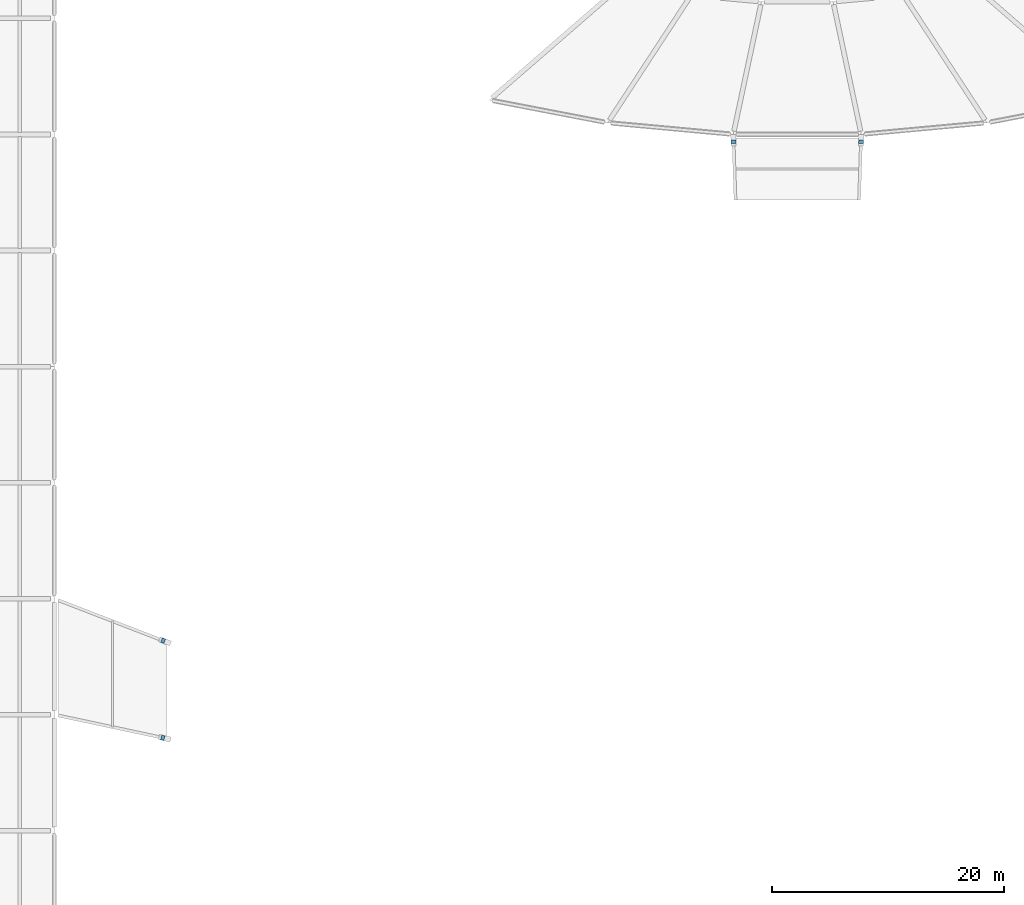
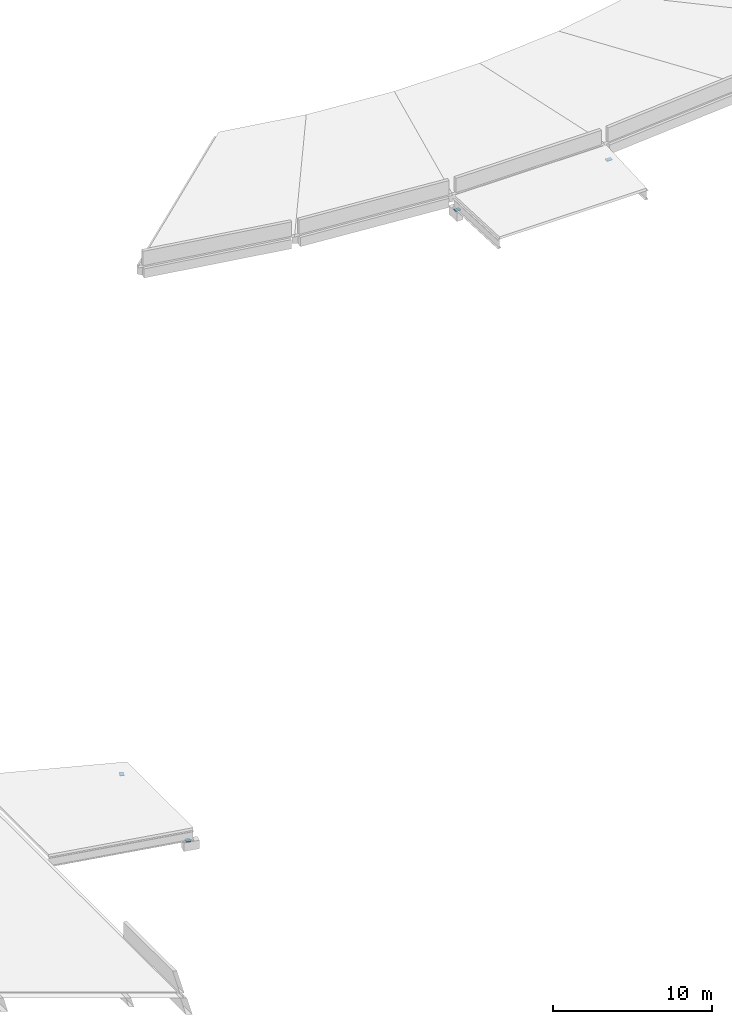
# One storey, part 33 of 39: 4 discrete accessories.
"""IFC4 building model written with IfcOpenShell, lengths in metres."""

from ifc_helpers import new_model, si_unit, direction, frame, origin, origin_2d, place, context, subcontext, project, spatial, rectangle, extrude, material, type_object, element, save


model = new_model("IFC4")

# Units and contexts
model_context = context("Model", 3, precision=1e-05, world=origin(), true_north=direction((0.0, 1.0)))
body_context = subcontext(model_context, "Body", "Model", "MODEL_VIEW")
ifc_project = project(units=[si_unit("LENGTHUNIT", "METRE"), si_unit("AREAUNIT", "SQUARE_METRE"), si_unit("VOLUMEUNIT", "CUBIC_METRE"), si_unit("PLANEANGLEUNIT", "RADIAN"), si_unit("MASSUNIT", "GRAM", prefix="KILO")], contexts=[model_context])

# Site, building, storey
site_placement = place(None, origin())
site = spatial("IfcSite", under=ifc_project, at=site_placement, CompositionType="ELEMENT")
building_placement = place(site_placement, origin())
building = spatial("IfcBuilding", under=site, at=building_placement, Name="Corvandel Quay Wholesale Market", CompositionType="ELEMENT")
storey_placement = place(building_placement, frame((0.0, 0.0, 15.0)))
storey = spatial("IfcBuildingStorey", under=building, at=storey_placement, Name="L03", CompositionType="ELEMENT", Elevation=15.0)

# Discrete accessories
ifc_material = material(Name="PTFE elastomeric bearing assembly")
discrete_accessory_type = type_object("IfcDiscreteAccessoryType", Name="Unguided Bi-Directional PTFE Sliding Bearing SBG01", PredefinedType="USERDEFINED", material=ifc_material)
for number, where, z_axis, x_axis, name in (
    (1, (108.5048828125, 89.3603515625, -0.923095703125), (0.0, 0.0, 1.0), (-0.032806302436, 0.999461728392, 0.0), "PTFE Sliding Bearing SBG-005"),
    (2, (119.4951171875, 89.3603515625, -0.923095703125), (0.0, 0.0, 1.0), (0.032806302436, 0.999461728392, 0.0), "PTFE Sliding Bearing SBG-006"),
    (3, (59.3251953125, 38.007080078125, -0.923095703125), (0.0, 0.0, 1.0), (-0.977929339831, 0.208935890402, 0.0), "PTFE Sliding Bearing SBG-011"),
    (4, (59.3564453125, 46.385498046875, -0.923095703125), (0.0, 0.0, 1.0), (-0.932827815397, 0.3603224484, 0.0), "PTFE Sliding Bearing SBG-012"),
):
    element("IfcDiscreteAccessory", number, at=place(storey_placement, frame(where, z_axis=z_axis, x_axis=x_axis)), inside=storey, type_object=discrete_accessory_type, Name=name, ObjectType="SLIDING BEARING", PredefinedType="USERDEFINED", context=body_context, shape_type="SweptSolid", body=[
        extrude(rectangle(XDim=0.300048828125, YDim=0.39990234375, at=origin_2d()), origin(), (0.0, 0.0, 1.0), 0.0400390625),
    ])

save(model, "model.ifc")
